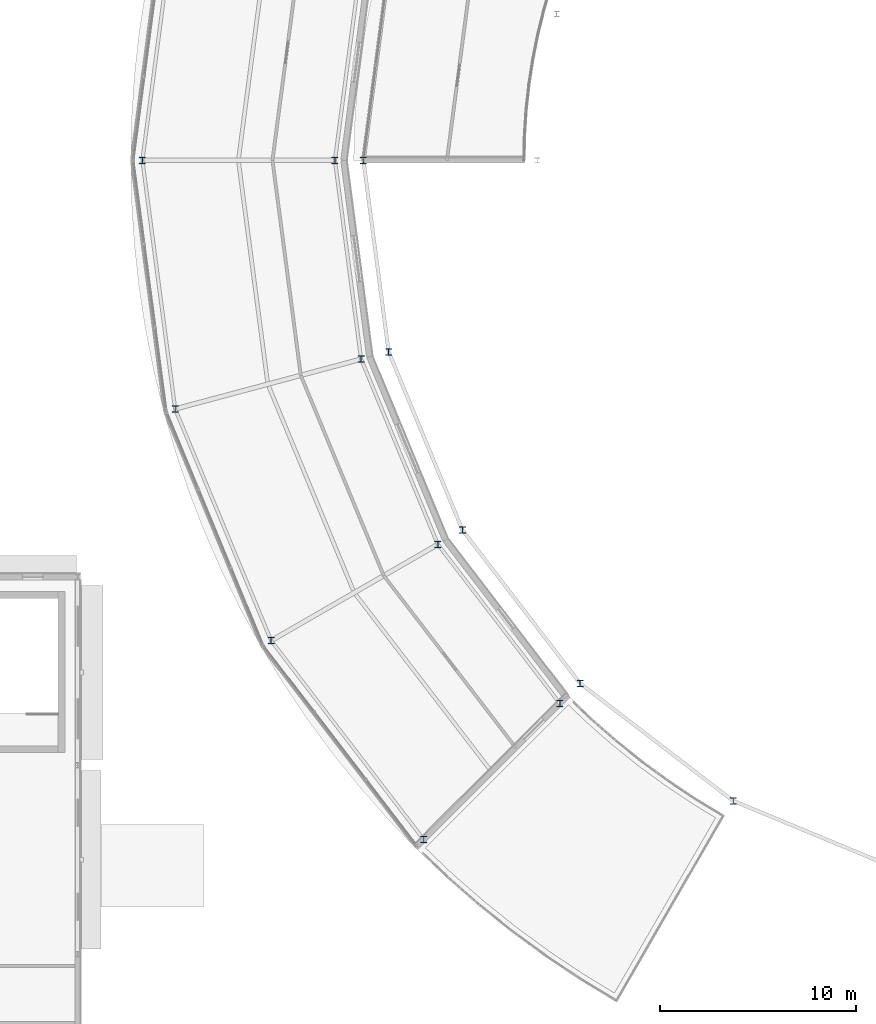
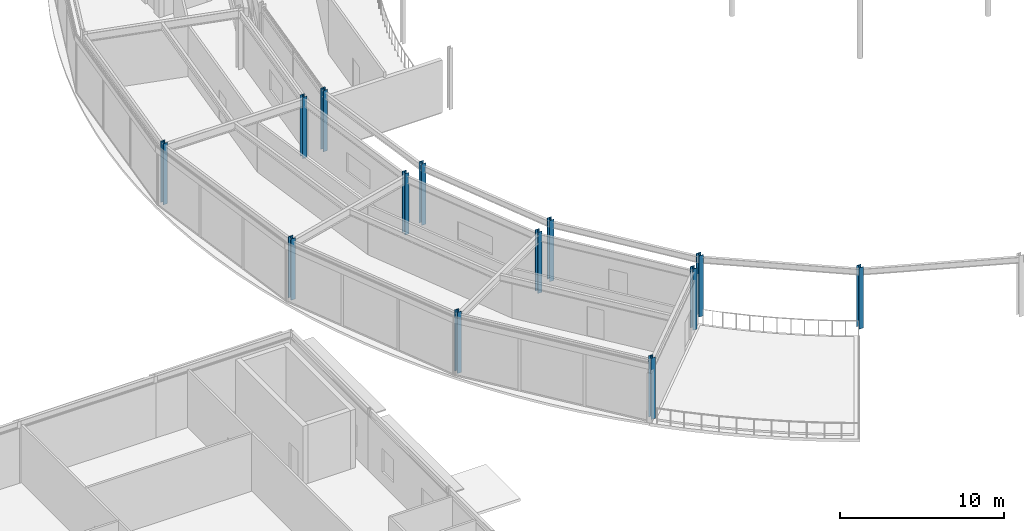
# One storey, part 3 of 133: 13 columns.
"""IFC4 building model written with IfcOpenShell, lengths in metres."""

from ifc_helpers import new_model, si_unit, direction, frame, origin, origin_2d, place, context, subcontext, project, spatial, i_section, extrude, material, material_profile, profile_set, type_object, element, save


model = new_model("IFC4")

# Units and contexts
model_context = context("Model", 3, precision=1e-05, world=origin(), true_north=direction((0.0, 1.0)))
body_context = subcontext(model_context, "Body", "Model", "MODEL_VIEW")
ifc_project = project(units=[si_unit("LENGTHUNIT", "METRE"), si_unit("AREAUNIT", "SQUARE_METRE"), si_unit("VOLUMEUNIT", "CUBIC_METRE"), si_unit("PLANEANGLEUNIT", "RADIAN"), si_unit("MASSUNIT", "GRAM", prefix="KILO")], contexts=[model_context])

# Site, building, storey
site_placement = place(None, origin())
site = spatial("IfcSite", under=ifc_project, at=site_placement, CompositionType="ELEMENT")
building_placement = place(site_placement, origin())
building = spatial("IfcBuilding", under=site, at=building_placement, Name="Almandine Court Research Institute", CompositionType="ELEMENT")
storey_placement = place(building_placement, frame((0.0, 0.0, 9.800048828125)))
storey = spatial("IfcBuildingStorey", under=building, at=storey_placement, Name="L02", CompositionType="ELEMENT", Elevation=9.800048828125)

# Columns
ifc_material = material(Name="Steel ASTM A992 Grade 50", Category="steel")
ifc_material_profile_1 = material_profile(ifc_material, i_section(OverallWidth=0.31005859375, OverallDepth=0.326904296875, WebThickness=0.01611328125, FlangeThickness=0.02490234375, at=origin_2d()), Name="W310x158")
ifc_profile_set_1 = profile_set([ifc_material_profile_1], Name="Steel ASTM A992 Grade 50")
column_type_1 = type_object("IfcColumnType", Name="Col-C-W06", PredefinedType="COLUMN", material=ifc_profile_set_1)
for number, where, z_axis, x_axis, name in (
    (1, (49.35009765625, 56.0, 0.0), (0.0, 0.0, 1.0), (1.0, 0.0, 0.0), "L02 V2 Column V2-OUT-S12"),
    (2, (50.633056640625, 46.2548828125, 0.0), (0.0, 0.0, 1.0), (1.0, 0.0, 0.0), "L02 V2 Column V2-OUT-S13"),
    (3, (54.39404296875, 37.175048828125, 0.0), (0.0, 0.0, 1.0), (1.0, 0.0, 0.0), "L02 V2 Column V2-OUT-S14"),
    (4, (60.376953125, 29.376953125, 0.0), (0.0, 0.0, 1.0), (1.0, 0.0, 0.0), "L02 V2 Column V2-OUT-S15"),
    (5, (68.175048828125, 23.39404296875, 0.0), (0.0, 0.0, 1.0), (1.0, 0.0, 0.0), "L02 V2 Column V2-OUT-S16"),
):
    element("IfcColumn", number, at=place(storey_placement, frame(where, z_axis=z_axis, x_axis=x_axis)), inside=storey, type_object=column_type_1, Name=name, PredefinedType="COLUMN", context=body_context, shape_type="SweptSolid", body=[
        extrude(i_section(OverallWidth=0.31005859375, OverallDepth=0.326904296875, WebThickness=0.01611328125, FlangeThickness=0.02490234375, at=origin_2d()), origin(), (0.0, 0.0, 1.0), 4.550048828125),
    ])
ifc_material_profile_2 = material_profile(ifc_material, i_section(OverallWidth=0.31005859375, OverallDepth=0.326904296875, WebThickness=0.01611328125, FlangeThickness=0.02490234375, at=origin_2d()), Name="W310x158")
ifc_profile_set_2 = profile_set([ifc_material_profile_2], Name="Steel ASTM A992 Grade 50")
column_type_2 = type_object("IfcColumnType", Name="Col-C-W06-E", PredefinedType="COLUMN", material=ifc_profile_set_2)
for number, where, z_axis, x_axis, name in (
    (6, (47.89990234375, 56.0, 0.0), (0.0, 0.0, 1.0), (1.0, 0.0, 0.0), "L02 V5 Column V5-IN-S12"),
    (7, (38.10009765625, 56.0, 0.0), (0.0, 0.0, 1.0), (1.0, 0.0, 0.0), "L02 V5 Column V5-OUT-S12"),
    (8, (49.23193359375, 45.8798828125, 0.0), (0.0, 0.0, 1.0), (1.0, 0.0, 0.0), "L02 V5 Column V5-IN-S13"),
    (9, (39.76611328125, 43.343994140625, 0.0), (0.0, 0.0, 1.0), (1.0, 0.0, 0.0), "L02 V5 Column V5-OUT-S13"),
    (10, (53.137939453125, 36.449951171875, 0.0), (0.0, 0.0, 1.0), (1.0, 0.0, 0.0), "L02 V5 Column V5-IN-S14"),
    (11, (44.65087890625, 31.550048828125, 0.0), (0.0, 0.0, 1.0), (1.0, 0.0, 0.0), "L02 V5 Column V5-OUT-S14"),
    (12, (59.35205078125, 28.35205078125, 0.0), (0.0, 0.0, 1.0), (1.0, 0.0, 0.0), "L02 V5 Column V5-IN-S15"),
    (13, (52.422119140625, 21.422119140625, 0.0), (0.0, 0.0, 1.0), (1.0, 0.0, 0.0), "L02 V5 Column V5-OUT-S15"),
):
    element("IfcColumn", number, at=place(storey_placement, frame(where, z_axis=z_axis, x_axis=x_axis)), inside=storey, type_object=column_type_2, Name=name, PredefinedType="COLUMN", context=body_context, shape_type="SweptSolid", body=[
        extrude(i_section(OverallWidth=0.31005859375, OverallDepth=0.326904296875, WebThickness=0.01611328125, FlangeThickness=0.02490234375, at=origin_2d()), origin(), (0.0, 0.0, 1.0), 4.550048828125),
    ])

save(model, "model.ifc")
